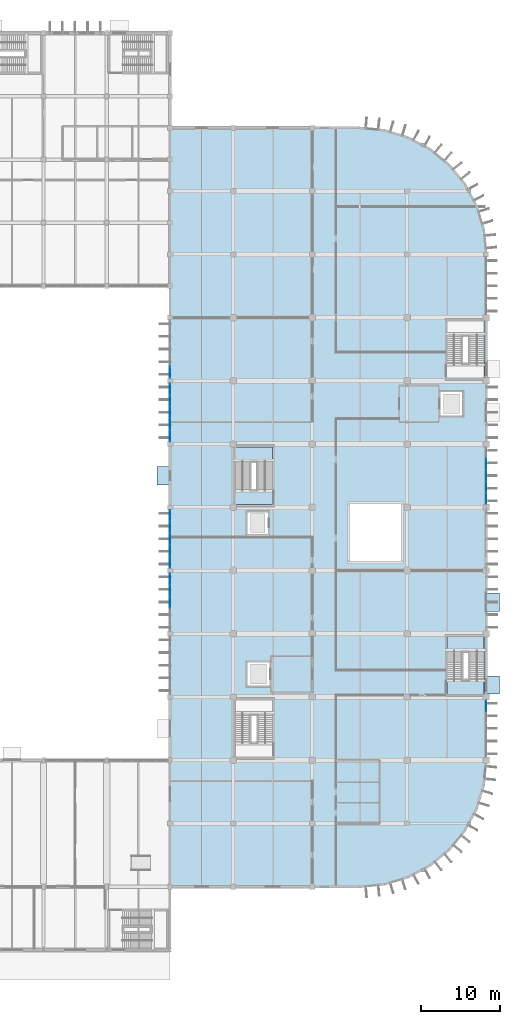
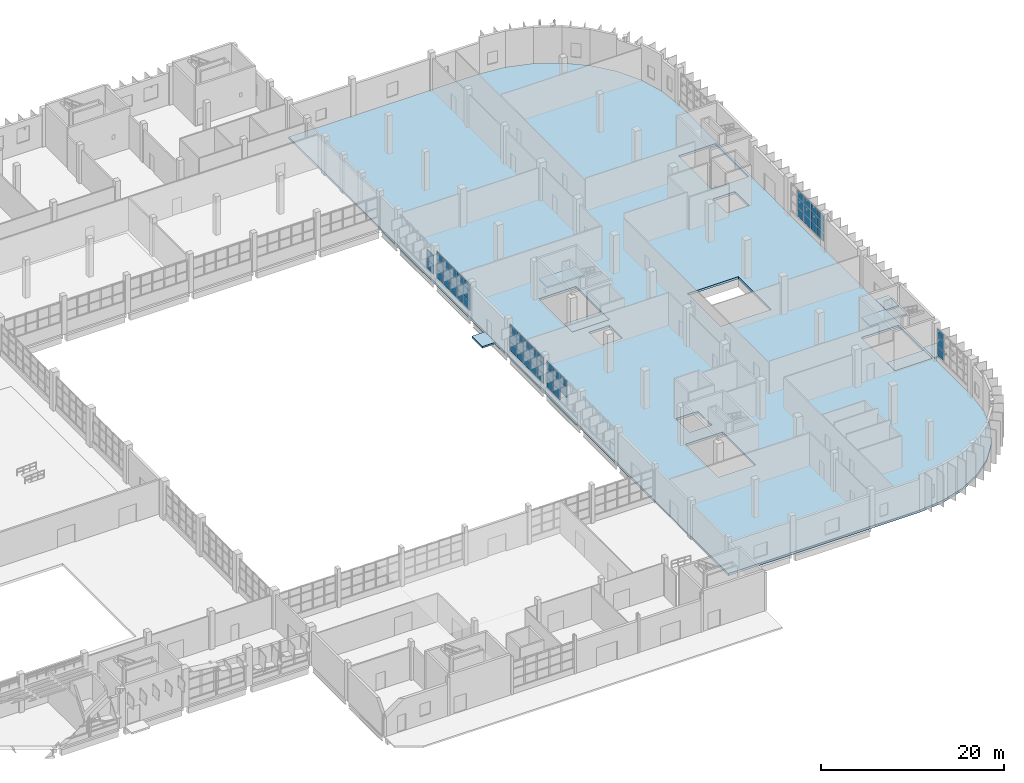
# One storey, part 63 of 103: 55 plates, 8 slabs, 8 elements without a shape of their own.
"""IFC4 building model written with IfcOpenShell, lengths in metres."""

from ifc_helpers import new_model, si_unit, direction, frame, origin, origin_2d, place, context, subcontext, project, spatial, polyline, rectangle, outline, extrude, material, layer, layer_set, type_object, element, aggregate, save


model = new_model("IFC4")

# Units and contexts
model_context = context("Model", 3, precision=1e-05, world=origin(), true_north=direction((0.0, 1.0)))
body_context = subcontext(model_context, "Body", "Model", "MODEL_VIEW")
ifc_project = project(units=[si_unit("LENGTHUNIT", "METRE"), si_unit("AREAUNIT", "SQUARE_METRE"), si_unit("VOLUMEUNIT", "CUBIC_METRE"), si_unit("PLANEANGLEUNIT", "RADIAN"), si_unit("MASSUNIT", "GRAM", prefix="KILO")], contexts=[model_context])

# Site, building, storey
site_placement = place(None, origin())
site = spatial("IfcSite", under=ifc_project, at=site_placement, CompositionType="ELEMENT")
building_placement = place(site_placement, origin())
building = spatial("IfcBuilding", under=site, at=building_placement, Name="Drelvana Railside Aquatics Centre", CompositionType="ELEMENT")
storey_placement = place(building_placement, origin())
storey = spatial("IfcBuildingStorey", under=building, at=storey_placement, Name="L00", CompositionType="ELEMENT", Elevation=0.0)

# Curtain wall, plates
ifc_material_1 = material(Name="Bronze-anodised aluminium curtain wall", Category="aluminium")
ifc_layer_1 = layer(ifc_material_1, 0.175048828125, Name="Bronze-anodised aluminium curtain wall")
ifc_layer_set_1 = layer_set([ifc_layer_1], Name="Bronze-anodised aluminium curtain wall")
curtain_wall_type = type_object("IfcCurtainWallType", Name="CW-Z6-WING", PredefinedType="NOTDEFINED", material=ifc_layer_set_1)
curtain_wall_1_placement = place(storey_placement, origin())
curtain_wall_1 = element("IfcCurtainWall", 1, at=curtain_wall_1_placement, inside=storey, type_object=curtain_wall_type, Name="Curtain wall CW-06-144", PredefinedType="NOTDEFINED")
ifc_material_2 = material(Name="Double-glazed low-e solar-control glass", Category="glass")
ifc_layer_2 = layer(ifc_material_2, 0.02392578125, Name="Double-glazed low-e solar-control glass")
ifc_layer_set_2 = layer_set([ifc_layer_2], Name="Double-glazed low-e solar-control glass")
plate_type = type_object("IfcPlateType", Name="CW-Z6-WING-PAN", PredefinedType="CURTAIN_PANEL", material=ifc_layer_set_2)
plate_1_placement = place(storey_placement, frame((144.0, 44.0, 2.0810546875), z_axis=(0.0, 0.0, 1.0), x_axis=(0.0, 1.0, 0.0)))
plate_1 = element("IfcPlate", 2, at=plate_1_placement, type_object=plate_type, Name="CW-06 panel 3.2", PredefinedType="CURTAIN_PANEL", context=body_context, shape_type="SweptSolid", body=[
    extrude(rectangle(XDim=1.41748046875, YDim=0.02392578125, at=origin_2d()), origin(), (0.0, 0.0, 1.0), 1.283935546875),
])
plate_2_placement = place(storey_placement, frame((144.0, 44.0, 3.4150390625), z_axis=(0.0, 0.0, 1.0), x_axis=(0.0, 1.0, 0.0)))
plate_2 = element("IfcPlate", 3, at=plate_2_placement, type_object=plate_type, Name="CW-06 panel 3.3", PredefinedType="CURTAIN_PANEL", context=body_context, shape_type="SweptSolid", body=[
    extrude(rectangle(XDim=1.41748046875, YDim=0.02392578125, at=origin_2d()), origin(), (0.0, 0.0, 1.0), 0.929931640625),
])
plate_3_placement = place(storey_placement, frame((144.0, 45.472412109375, 0.84912109375), z_axis=(0.0, 0.0, 1.0), x_axis=(0.0, 1.0, 0.0)))
plate_3 = element("IfcPlate", 4, at=plate_3_placement, type_object=plate_type, Name="CW-06 panel 4.1", PredefinedType="CURTAIN_PANEL", context=body_context, shape_type="SweptSolid", body=[
    extrude(rectangle(XDim=1.41748046875, YDim=0.02392578125, at=origin_2d()), origin(), (0.0, 0.0, 1.0), 1.181884765625),
])
plate_4_placement = place(storey_placement, frame((144.0, 45.472412109375, 2.0810546875), z_axis=(0.0, 0.0, 1.0), x_axis=(0.0, 1.0, 0.0)))
plate_4 = element("IfcPlate", 5, at=plate_4_placement, type_object=plate_type, Name="CW-06 panel 4.2", PredefinedType="CURTAIN_PANEL", context=body_context, shape_type="SweptSolid", body=[
    extrude(rectangle(XDim=1.41748046875, YDim=0.02392578125, at=origin_2d()), origin(), (0.0, 0.0, 1.0), 1.283935546875),
])
plate_5_placement = place(storey_placement, frame((144.0, 45.472412109375, 3.4150390625), z_axis=(0.0, 0.0, 1.0), x_axis=(0.0, 1.0, 0.0)))
plate_5 = element("IfcPlate", 6, at=plate_5_placement, type_object=plate_type, Name="CW-06 panel 4.3", PredefinedType="CURTAIN_PANEL", context=body_context, shape_type="SweptSolid", body=[
    extrude(rectangle(XDim=1.41748046875, YDim=0.02392578125, at=origin_2d()), origin(), (0.0, 0.0, 1.0), 0.929931640625),
])
plate_6_placement = place(storey_placement, frame((144.0, 46.928466796875, 0.84912109375), z_axis=(0.0, 0.0, 1.0), x_axis=(0.0, 1.0, 0.0)))
plate_6 = element("IfcPlate", 7, at=plate_6_placement, type_object=plate_type, Name="CW-06 panel 5.1", PredefinedType="CURTAIN_PANEL", context=body_context, shape_type="SweptSolid", body=[
    extrude(rectangle(XDim=1.385009765625, YDim=0.02392578125, at=origin_2d()), origin(), (0.0, 0.0, 1.0), 1.181884765625),
])
plate_7_placement = place(storey_placement, frame((144.0, 46.928466796875, 2.0810546875), z_axis=(0.0, 0.0, 1.0), x_axis=(0.0, 1.0, 0.0)))
plate_7 = element("IfcPlate", 8, at=plate_7_placement, type_object=plate_type, Name="CW-06 panel 5.2", PredefinedType="CURTAIN_PANEL", context=body_context, shape_type="SweptSolid", body=[
    extrude(rectangle(XDim=1.385009765625, YDim=0.02392578125, at=origin_2d()), origin(), (0.0, 0.0, 1.0), 1.283935546875),
])
plate_8_placement = place(storey_placement, frame((144.0, 46.928466796875, 3.4150390625), z_axis=(0.0, 0.0, 1.0), x_axis=(0.0, 1.0, 0.0)))
plate_8 = element("IfcPlate", 9, at=plate_8_placement, type_object=plate_type, Name="CW-06 panel 5.3", PredefinedType="CURTAIN_PANEL", context=body_context, shape_type="SweptSolid", body=[
    extrude(rectangle(XDim=1.385009765625, YDim=0.02392578125, at=origin_2d()), origin(), (0.0, 0.0, 1.0), 0.929931640625),
])
aggregate(curtain_wall_1, [plate_1, plate_2, plate_3, plate_4, plate_5, plate_6, plate_7, plate_8])

curtain_wall_2_placement = place(storey_placement, origin())
curtain_wall_2 = element("IfcCurtainWall", 10, at=curtain_wall_2_placement, inside=storey, type_object=curtain_wall_type, Name="Curtain wall CW-06-148", PredefinedType="NOTDEFINED")
plate_9_placement = place(storey_placement, frame((144.0, 49.071533203125, 0.84912109375), z_axis=(0.0, 0.0, 1.0), x_axis=(0.0, 1.0, 0.0)))
plate_9 = element("IfcPlate", 11, at=plate_9_placement, type_object=plate_type, Name="CW-06 panel 1.1", PredefinedType="CURTAIN_PANEL", context=body_context, shape_type="SweptSolid", body=[
    extrude(rectangle(XDim=1.385009765625, YDim=0.02392578125, at=origin_2d()), origin(), (0.0, 0.0, 1.0), 1.181884765625),
])
plate_10_placement = place(storey_placement, frame((144.0, 49.071533203125, 2.0810546875), z_axis=(0.0, 0.0, 1.0), x_axis=(0.0, 1.0, 0.0)))
plate_10 = element("IfcPlate", 12, at=plate_10_placement, type_object=plate_type, Name="CW-06 panel 1.2", PredefinedType="CURTAIN_PANEL", context=body_context, shape_type="SweptSolid", body=[
    extrude(rectangle(XDim=1.385009765625, YDim=0.02392578125, at=origin_2d()), origin(), (0.0, 0.0, 1.0), 1.283935546875),
])
plate_11_placement = place(storey_placement, frame((144.0, 49.071533203125, 3.4150390625), z_axis=(0.0, 0.0, 1.0), x_axis=(0.0, 1.0, 0.0)))
plate_11 = element("IfcPlate", 13, at=plate_11_placement, type_object=plate_type, Name="CW-06 panel 1.3", PredefinedType="CURTAIN_PANEL", context=body_context, shape_type="SweptSolid", body=[
    extrude(rectangle(XDim=1.385009765625, YDim=0.02392578125, at=origin_2d()), origin(), (0.0, 0.0, 1.0), 0.929931640625),
])
plate_12_placement = place(storey_placement, frame((144.0, 50.527587890625, 0.84912109375), z_axis=(0.0, 0.0, 1.0), x_axis=(0.0, 1.0, 0.0)))
plate_12 = element("IfcPlate", 14, at=plate_12_placement, type_object=plate_type, Name="CW-06 panel 2.1", PredefinedType="CURTAIN_PANEL", context=body_context, shape_type="SweptSolid", body=[
    extrude(rectangle(XDim=1.41748046875, YDim=0.02392578125, at=origin_2d()), origin(), (0.0, 0.0, 1.0), 1.181884765625),
])
plate_13_placement = place(storey_placement, frame((144.0, 50.527587890625, 2.0810546875), z_axis=(0.0, 0.0, 1.0), x_axis=(0.0, 1.0, 0.0)))
plate_13 = element("IfcPlate", 15, at=plate_13_placement, type_object=plate_type, Name="CW-06 panel 2.2", PredefinedType="CURTAIN_PANEL", context=body_context, shape_type="SweptSolid", body=[
    extrude(rectangle(XDim=1.41748046875, YDim=0.02392578125, at=origin_2d()), origin(), (0.0, 0.0, 1.0), 1.283935546875),
])
plate_14_placement = place(storey_placement, frame((144.0, 50.527587890625, 3.4150390625), z_axis=(0.0, 0.0, 1.0), x_axis=(0.0, 1.0, 0.0)))
plate_14 = element("IfcPlate", 16, at=plate_14_placement, type_object=plate_type, Name="CW-06 panel 2.3", PredefinedType="CURTAIN_PANEL", context=body_context, shape_type="SweptSolid", body=[
    extrude(rectangle(XDim=1.41748046875, YDim=0.02392578125, at=origin_2d()), origin(), (0.0, 0.0, 1.0), 0.929931640625),
])
plate_15_placement = place(storey_placement, frame((144.0, 52.0, 0.84912109375), z_axis=(0.0, 0.0, 1.0), x_axis=(0.0, 1.0, 0.0)))
plate_15 = element("IfcPlate", 17, at=plate_15_placement, type_object=plate_type, Name="CW-06 panel 3.1", PredefinedType="CURTAIN_PANEL", context=body_context, shape_type="SweptSolid", body=[
    extrude(rectangle(XDim=1.41748046875, YDim=0.02392578125, at=origin_2d()), origin(), (0.0, 0.0, 1.0), 1.181884765625),
])
plate_16_placement = place(storey_placement, frame((144.0, 52.0, 2.0810546875), z_axis=(0.0, 0.0, 1.0), x_axis=(0.0, 1.0, 0.0)))
plate_16 = element("IfcPlate", 18, at=plate_16_placement, type_object=plate_type, Name="CW-06 panel 3.2", PredefinedType="CURTAIN_PANEL", context=body_context, shape_type="SweptSolid", body=[
    extrude(rectangle(XDim=1.41748046875, YDim=0.02392578125, at=origin_2d()), origin(), (0.0, 0.0, 1.0), 1.283935546875),
])
plate_17_placement = place(storey_placement, frame((144.0, 52.0, 3.4150390625), z_axis=(0.0, 0.0, 1.0), x_axis=(0.0, 1.0, 0.0)))
plate_17 = element("IfcPlate", 19, at=plate_17_placement, type_object=plate_type, Name="CW-06 panel 3.3", PredefinedType="CURTAIN_PANEL", context=body_context, shape_type="SweptSolid", body=[
    extrude(rectangle(XDim=1.41748046875, YDim=0.02392578125, at=origin_2d()), origin(), (0.0, 0.0, 1.0), 0.929931640625),
])
plate_18_placement = place(storey_placement, frame((144.0, 53.472412109375, 0.84912109375), z_axis=(0.0, 0.0, 1.0), x_axis=(0.0, 1.0, 0.0)))
plate_18 = element("IfcPlate", 20, at=plate_18_placement, type_object=plate_type, Name="CW-06 panel 4.1", PredefinedType="CURTAIN_PANEL", context=body_context, shape_type="SweptSolid", body=[
    extrude(rectangle(XDim=1.41748046875, YDim=0.02392578125, at=origin_2d()), origin(), (0.0, 0.0, 1.0), 1.181884765625),
])
plate_19_placement = place(storey_placement, frame((144.0, 53.472412109375, 2.0810546875), z_axis=(0.0, 0.0, 1.0), x_axis=(0.0, 1.0, 0.0)))
plate_19 = element("IfcPlate", 21, at=plate_19_placement, type_object=plate_type, Name="CW-06 panel 4.2", PredefinedType="CURTAIN_PANEL", context=body_context, shape_type="SweptSolid", body=[
    extrude(rectangle(XDim=1.41748046875, YDim=0.02392578125, at=origin_2d()), origin(), (0.0, 0.0, 1.0), 1.283935546875),
])
plate_20_placement = place(storey_placement, frame((144.0, 53.472412109375, 3.4150390625), z_axis=(0.0, 0.0, 1.0), x_axis=(0.0, 1.0, 0.0)))
plate_20 = element("IfcPlate", 22, at=plate_20_placement, type_object=plate_type, Name="CW-06 panel 4.3", PredefinedType="CURTAIN_PANEL", context=body_context, shape_type="SweptSolid", body=[
    extrude(rectangle(XDim=1.41748046875, YDim=0.02392578125, at=origin_2d()), origin(), (0.0, 0.0, 1.0), 0.929931640625),
])
plate_21_placement = place(storey_placement, frame((144.0, 54.928466796875, 0.84912109375), z_axis=(0.0, 0.0, 1.0), x_axis=(0.0, 1.0, 0.0)))
plate_21 = element("IfcPlate", 23, at=plate_21_placement, type_object=plate_type, Name="CW-06 panel 5.1", PredefinedType="CURTAIN_PANEL", context=body_context, shape_type="SweptSolid", body=[
    extrude(rectangle(XDim=1.385009765625, YDim=0.02392578125, at=origin_2d()), origin(), (0.0, 0.0, 1.0), 1.181884765625),
])
plate_22_placement = place(storey_placement, frame((144.0, 54.928466796875, 2.0810546875), z_axis=(0.0, 0.0, 1.0), x_axis=(0.0, 1.0, 0.0)))
plate_22 = element("IfcPlate", 24, at=plate_22_placement, type_object=plate_type, Name="CW-06 panel 5.2", PredefinedType="CURTAIN_PANEL", context=body_context, shape_type="SweptSolid", body=[
    extrude(rectangle(XDim=1.385009765625, YDim=0.02392578125, at=origin_2d()), origin(), (0.0, 0.0, 1.0), 1.283935546875),
])
plate_23_placement = place(storey_placement, frame((144.0, 54.928466796875, 3.4150390625), z_axis=(0.0, 0.0, 1.0), x_axis=(0.0, 1.0, 0.0)))
plate_23 = element("IfcPlate", 25, at=plate_23_placement, type_object=plate_type, Name="CW-06 panel 5.3", PredefinedType="CURTAIN_PANEL", context=body_context, shape_type="SweptSolid", body=[
    extrude(rectangle(XDim=1.385009765625, YDim=0.02392578125, at=origin_2d()), origin(), (0.0, 0.0, 1.0), 0.929931640625),
])
aggregate(curtain_wall_2, [plate_9, plate_10, plate_11, plate_12, plate_13, plate_14, plate_15, plate_16, plate_17, plate_18, plate_19, plate_20, plate_21, plate_22, plate_23])

curtain_wall_3_placement = place(storey_placement, origin())
curtain_wall_3 = element("IfcCurtainWall", 26, at=curtain_wall_3_placement, inside=storey, type_object=curtain_wall_type, Name="Curtain wall CW-06-155", PredefinedType="NOTDEFINED")
plate_24_placement = place(storey_placement, frame((144.0, 65.071533203125, 0.84912109375), z_axis=(0.0, 0.0, 1.0), x_axis=(0.0, 1.0, 0.0)))
plate_24 = element("IfcPlate", 27, at=plate_24_placement, type_object=plate_type, Name="CW-06 panel 1.1", PredefinedType="CURTAIN_PANEL", context=body_context, shape_type="SweptSolid", body=[
    extrude(rectangle(XDim=1.385009765625, YDim=0.02392578125, at=origin_2d()), origin(), (0.0, 0.0, 1.0), 1.181884765625),
])
plate_25_placement = place(storey_placement, frame((144.0, 65.071533203125, 2.0810546875), z_axis=(0.0, 0.0, 1.0), x_axis=(0.0, 1.0, 0.0)))
plate_25 = element("IfcPlate", 28, at=plate_25_placement, type_object=plate_type, Name="CW-06 panel 1.2", PredefinedType="CURTAIN_PANEL", context=body_context, shape_type="SweptSolid", body=[
    extrude(rectangle(XDim=1.385009765625, YDim=0.02392578125, at=origin_2d()), origin(), (0.0, 0.0, 1.0), 1.283935546875),
])
plate_26_placement = place(storey_placement, frame((144.0, 65.071533203125, 3.4150390625), z_axis=(0.0, 0.0, 1.0), x_axis=(0.0, 1.0, 0.0)))
plate_26 = element("IfcPlate", 29, at=plate_26_placement, type_object=plate_type, Name="CW-06 panel 1.3", PredefinedType="CURTAIN_PANEL", context=body_context, shape_type="SweptSolid", body=[
    extrude(rectangle(XDim=1.385009765625, YDim=0.02392578125, at=origin_2d()), origin(), (0.0, 0.0, 1.0), 0.929931640625),
])
plate_27_placement = place(storey_placement, frame((144.0, 66.527587890625, 0.84912109375), z_axis=(0.0, 0.0, 1.0), x_axis=(0.0, 1.0, 0.0)))
plate_27 = element("IfcPlate", 30, at=plate_27_placement, type_object=plate_type, Name="CW-06 panel 2.1", PredefinedType="CURTAIN_PANEL", context=body_context, shape_type="SweptSolid", body=[
    extrude(rectangle(XDim=1.41748046875, YDim=0.02392578125, at=origin_2d()), origin(), (0.0, 0.0, 1.0), 1.181884765625),
])
plate_28_placement = place(storey_placement, frame((144.0, 66.527587890625, 2.0810546875), z_axis=(0.0, 0.0, 1.0), x_axis=(0.0, 1.0, 0.0)))
plate_28 = element("IfcPlate", 31, at=plate_28_placement, type_object=plate_type, Name="CW-06 panel 2.2", PredefinedType="CURTAIN_PANEL", context=body_context, shape_type="SweptSolid", body=[
    extrude(rectangle(XDim=1.41748046875, YDim=0.02392578125, at=origin_2d()), origin(), (0.0, 0.0, 1.0), 1.283935546875),
])
plate_29_placement = place(storey_placement, frame((144.0, 66.527587890625, 3.4150390625), z_axis=(0.0, 0.0, 1.0), x_axis=(0.0, 1.0, 0.0)))
plate_29 = element("IfcPlate", 32, at=plate_29_placement, type_object=plate_type, Name="CW-06 panel 2.3", PredefinedType="CURTAIN_PANEL", context=body_context, shape_type="SweptSolid", body=[
    extrude(rectangle(XDim=1.41748046875, YDim=0.02392578125, at=origin_2d()), origin(), (0.0, 0.0, 1.0), 0.929931640625),
])
plate_30_placement = place(storey_placement, frame((144.0, 68.0, 0.84912109375), z_axis=(0.0, 0.0, 1.0), x_axis=(0.0, 1.0, 0.0)))
plate_30 = element("IfcPlate", 33, at=plate_30_placement, type_object=plate_type, Name="CW-06 panel 3.1", PredefinedType="CURTAIN_PANEL", context=body_context, shape_type="SweptSolid", body=[
    extrude(rectangle(XDim=1.41748046875, YDim=0.02392578125, at=origin_2d()), origin(), (0.0, 0.0, 1.0), 1.181884765625),
])
plate_31_placement = place(storey_placement, frame((144.0, 68.0, 2.0810546875), z_axis=(0.0, 0.0, 1.0), x_axis=(0.0, 1.0, 0.0)))
plate_31 = element("IfcPlate", 34, at=plate_31_placement, type_object=plate_type, Name="CW-06 panel 3.2", PredefinedType="CURTAIN_PANEL", context=body_context, shape_type="SweptSolid", body=[
    extrude(rectangle(XDim=1.41748046875, YDim=0.02392578125, at=origin_2d()), origin(), (0.0, 0.0, 1.0), 1.283935546875),
])
plate_32_placement = place(storey_placement, frame((144.0, 68.0, 3.4150390625), z_axis=(0.0, 0.0, 1.0), x_axis=(0.0, 1.0, 0.0)))
plate_32 = element("IfcPlate", 35, at=plate_32_placement, type_object=plate_type, Name="CW-06 panel 3.3", PredefinedType="CURTAIN_PANEL", context=body_context, shape_type="SweptSolid", body=[
    extrude(rectangle(XDim=1.41748046875, YDim=0.02392578125, at=origin_2d()), origin(), (0.0, 0.0, 1.0), 0.929931640625),
])
plate_33_placement = place(storey_placement, frame((144.0, 69.472412109375, 0.84912109375), z_axis=(0.0, 0.0, 1.0), x_axis=(0.0, 1.0, 0.0)))
plate_33 = element("IfcPlate", 36, at=plate_33_placement, type_object=plate_type, Name="CW-06 panel 4.1", PredefinedType="CURTAIN_PANEL", context=body_context, shape_type="SweptSolid", body=[
    extrude(rectangle(XDim=1.41748046875, YDim=0.02392578125, at=origin_2d()), origin(), (0.0, 0.0, 1.0), 1.181884765625),
])
plate_34_placement = place(storey_placement, frame((144.0, 69.472412109375, 2.0810546875), z_axis=(0.0, 0.0, 1.0), x_axis=(0.0, 1.0, 0.0)))
plate_34 = element("IfcPlate", 37, at=plate_34_placement, type_object=plate_type, Name="CW-06 panel 4.2", PredefinedType="CURTAIN_PANEL", context=body_context, shape_type="SweptSolid", body=[
    extrude(rectangle(XDim=1.41748046875, YDim=0.02392578125, at=origin_2d()), origin(), (0.0, 0.0, 1.0), 1.283935546875),
])
plate_35_placement = place(storey_placement, frame((144.0, 69.472412109375, 3.4150390625), z_axis=(0.0, 0.0, 1.0), x_axis=(0.0, 1.0, 0.0)))
plate_35 = element("IfcPlate", 38, at=plate_35_placement, type_object=plate_type, Name="CW-06 panel 4.3", PredefinedType="CURTAIN_PANEL", context=body_context, shape_type="SweptSolid", body=[
    extrude(rectangle(XDim=1.41748046875, YDim=0.02392578125, at=origin_2d()), origin(), (0.0, 0.0, 1.0), 0.929931640625),
])
plate_36_placement = place(storey_placement, frame((144.0, 70.928466796875, 0.84912109375), z_axis=(0.0, 0.0, 1.0), x_axis=(0.0, 1.0, 0.0)))
plate_36 = element("IfcPlate", 39, at=plate_36_placement, type_object=plate_type, Name="CW-06 panel 5.1", PredefinedType="CURTAIN_PANEL", context=body_context, shape_type="SweptSolid", body=[
    extrude(rectangle(XDim=1.385009765625, YDim=0.02392578125, at=origin_2d()), origin(), (0.0, 0.0, 1.0), 1.181884765625),
])
plate_37_placement = place(storey_placement, frame((144.0, 70.928466796875, 2.0810546875), z_axis=(0.0, 0.0, 1.0), x_axis=(0.0, 1.0, 0.0)))
plate_37 = element("IfcPlate", 40, at=plate_37_placement, type_object=plate_type, Name="CW-06 panel 5.2", PredefinedType="CURTAIN_PANEL", context=body_context, shape_type="SweptSolid", body=[
    extrude(rectangle(XDim=1.385009765625, YDim=0.02392578125, at=origin_2d()), origin(), (0.0, 0.0, 1.0), 1.283935546875),
])
plate_38_placement = place(storey_placement, frame((144.0, 70.928466796875, 3.4150390625), z_axis=(0.0, 0.0, 1.0), x_axis=(0.0, 1.0, 0.0)))
plate_38 = element("IfcPlate", 41, at=plate_38_placement, type_object=plate_type, Name="CW-06 panel 5.3", PredefinedType="CURTAIN_PANEL", context=body_context, shape_type="SweptSolid", body=[
    extrude(rectangle(XDim=1.385009765625, YDim=0.02392578125, at=origin_2d()), origin(), (0.0, 0.0, 1.0), 0.929931640625),
])
aggregate(curtain_wall_3, [plate_24, plate_25, plate_26, plate_27, plate_28, plate_29, plate_30, plate_31, plate_32, plate_33, plate_34, plate_35, plate_36, plate_37, plate_38])

curtain_wall_4_placement = place(storey_placement, origin())
curtain_wall_4 = element("IfcCurtainWall", 42, at=curtain_wall_4_placement, inside=storey, type_object=curtain_wall_type, Name="Curtain wall CW-06-159", PredefinedType="NOTDEFINED")
plate_39_placement = place(storey_placement, frame((144.0, 73.071533203125, 0.84912109375), z_axis=(0.0, 0.0, 1.0), x_axis=(0.0, 1.0, 0.0)))
plate_39 = element("IfcPlate", 43, at=plate_39_placement, type_object=plate_type, Name="CW-06 panel 1.1", PredefinedType="CURTAIN_PANEL", context=body_context, shape_type="SweptSolid", body=[
    extrude(rectangle(XDim=1.385009765625, YDim=0.02392578125, at=origin_2d()), origin(), (0.0, 0.0, 1.0), 1.181884765625),
])
plate_40_placement = place(storey_placement, frame((144.0, 73.071533203125, 2.0810546875), z_axis=(0.0, 0.0, 1.0), x_axis=(0.0, 1.0, 0.0)))
plate_40 = element("IfcPlate", 44, at=plate_40_placement, type_object=plate_type, Name="CW-06 panel 1.2", PredefinedType="CURTAIN_PANEL", context=body_context, shape_type="SweptSolid", body=[
    extrude(rectangle(XDim=1.385009765625, YDim=0.02392578125, at=origin_2d()), origin(), (0.0, 0.0, 1.0), 1.283935546875),
])
aggregate(curtain_wall_4, [plate_39, plate_40])

curtain_wall_5_placement = place(storey_placement, origin())
curtain_wall_5 = element("IfcCurtainWall", 45, at=curtain_wall_5_placement, inside=storey, type_object=curtain_wall_type, Name="Curtain wall CW-06-166", PredefinedType="NOTDEFINED")
plate_41_placement = place(storey_placement, frame((184.0, 30.86865234375, 0.84912109375), z_axis=(0.0, 0.0, 1.0), x_axis=(0.0, 1.0, 0.0)))
plate_41 = element("IfcPlate", 46, at=plate_41_placement, type_object=plate_type, Name="CW-06 panel 5.1", PredefinedType="CURTAIN_PANEL", context=body_context, shape_type="SweptSolid", body=[
    extrude(rectangle(XDim=1.35498046875, YDim=0.02392578125, at=origin_2d()), origin(), (0.0, 0.0, 1.0), 1.181884765625),
])
plate_42_placement = place(storey_placement, frame((184.0, 30.86865234375, 2.0810546875), z_axis=(0.0, 0.0, 1.0), x_axis=(0.0, 1.0, 0.0)))
plate_42 = element("IfcPlate", 47, at=plate_42_placement, type_object=plate_type, Name="CW-06 panel 5.2", PredefinedType="CURTAIN_PANEL", context=body_context, shape_type="SweptSolid", body=[
    extrude(rectangle(XDim=1.35498046875, YDim=0.02392578125, at=origin_2d()), origin(), (0.0, 0.0, 1.0), 1.283935546875),
])
plate_43_placement = place(storey_placement, frame((184.0, 30.86865234375, 3.4150390625), z_axis=(0.0, 0.0, 1.0), x_axis=(0.0, 1.0, 0.0)))
plate_43 = element("IfcPlate", 48, at=plate_43_placement, type_object=plate_type, Name="CW-06 panel 5.3", PredefinedType="CURTAIN_PANEL", context=body_context, shape_type="SweptSolid", body=[
    extrude(rectangle(XDim=1.35498046875, YDim=0.02392578125, at=origin_2d()), origin(), (0.0, 0.0, 1.0), 0.929931640625),
])
aggregate(curtain_wall_5, [plate_41, plate_42, plate_43])

curtain_wall_6_placement = place(storey_placement, origin())
curtain_wall_6 = element("IfcCurtainWall", 49, at=curtain_wall_6_placement, inside=storey, type_object=curtain_wall_type, Name="Curtain wall CW-06-175", PredefinedType="NOTDEFINED")
plate_44_placement = place(storey_placement, frame((184.0, 57.13134765625, 0.84912109375), z_axis=(0.0, 0.0, 1.0), x_axis=(0.0, 1.0, 0.0)))
plate_44 = element("IfcPlate", 50, at=plate_44_placement, type_object=plate_type, Name="CW-06 panel 1.1", PredefinedType="CURTAIN_PANEL", context=body_context, shape_type="SweptSolid", body=[
    extrude(rectangle(XDim=1.35498046875, YDim=0.02392578125, at=origin_2d()), origin(), (0.0, 0.0, 1.0), 1.181884765625),
])
plate_45_placement = place(storey_placement, frame((184.0, 57.13134765625, 2.0810546875), z_axis=(0.0, 0.0, 1.0), x_axis=(0.0, 1.0, 0.0)))
plate_45 = element("IfcPlate", 51, at=plate_45_placement, type_object=plate_type, Name="CW-06 panel 1.2", PredefinedType="CURTAIN_PANEL", context=body_context, shape_type="SweptSolid", body=[
    extrude(rectangle(XDim=1.35498046875, YDim=0.02392578125, at=origin_2d()), origin(), (0.0, 0.0, 1.0), 1.283935546875),
])
plate_46_placement = place(storey_placement, frame((184.0, 57.13134765625, 3.4150390625), z_axis=(0.0, 0.0, 1.0), x_axis=(0.0, 1.0, 0.0)))
plate_46 = element("IfcPlate", 52, at=plate_46_placement, type_object=plate_type, Name="CW-06 panel 1.3", PredefinedType="CURTAIN_PANEL", context=body_context, shape_type="SweptSolid", body=[
    extrude(rectangle(XDim=1.35498046875, YDim=0.02392578125, at=origin_2d()), origin(), (0.0, 0.0, 1.0), 0.929931640625),
])
plate_47_placement = place(storey_placement, frame((184.0, 58.5576171875, 0.84912109375), z_axis=(0.0, 0.0, 1.0), x_axis=(0.0, 1.0, 0.0)))
plate_47 = element("IfcPlate", 53, at=plate_47_placement, type_object=plate_type, Name="CW-06 panel 2.1", PredefinedType="CURTAIN_PANEL", context=body_context, shape_type="SweptSolid", body=[
    extrude(rectangle(XDim=1.387451171875, YDim=0.02392578125, at=origin_2d()), origin(), (0.0, 0.0, 1.0), 1.181884765625),
])
plate_48_placement = place(storey_placement, frame((184.0, 58.5576171875, 2.0810546875), z_axis=(0.0, 0.0, 1.0), x_axis=(0.0, 1.0, 0.0)))
plate_48 = element("IfcPlate", 54, at=plate_48_placement, type_object=plate_type, Name="CW-06 panel 2.2", PredefinedType="CURTAIN_PANEL", context=body_context, shape_type="SweptSolid", body=[
    extrude(rectangle(XDim=1.387451171875, YDim=0.02392578125, at=origin_2d()), origin(), (0.0, 0.0, 1.0), 1.283935546875),
])
plate_49_placement = place(storey_placement, frame((184.0, 58.5576171875, 3.4150390625), z_axis=(0.0, 0.0, 1.0), x_axis=(0.0, 1.0, 0.0)))
plate_49 = element("IfcPlate", 55, at=plate_49_placement, type_object=plate_type, Name="CW-06 panel 2.3", PredefinedType="CURTAIN_PANEL", context=body_context, shape_type="SweptSolid", body=[
    extrude(rectangle(XDim=1.387451171875, YDim=0.02392578125, at=origin_2d()), origin(), (0.0, 0.0, 1.0), 0.929931640625),
])
plate_50_placement = place(storey_placement, frame((184.0, 60.0, 0.84912109375), z_axis=(0.0, 0.0, 1.0), x_axis=(0.0, 1.0, 0.0)))
plate_50 = element("IfcPlate", 56, at=plate_50_placement, type_object=plate_type, Name="CW-06 panel 3.1", PredefinedType="CURTAIN_PANEL", context=body_context, shape_type="SweptSolid", body=[
    extrude(rectangle(XDim=1.387451171875, YDim=0.02392578125, at=origin_2d()), origin(), (0.0, 0.0, 1.0), 1.181884765625),
])
plate_51_placement = place(storey_placement, frame((184.0, 60.0, 2.0810546875), z_axis=(0.0, 0.0, 1.0), x_axis=(0.0, 1.0, 0.0)))
plate_51 = element("IfcPlate", 57, at=plate_51_placement, type_object=plate_type, Name="CW-06 panel 3.2", PredefinedType="CURTAIN_PANEL", context=body_context, shape_type="SweptSolid", body=[
    extrude(rectangle(XDim=1.387451171875, YDim=0.02392578125, at=origin_2d()), origin(), (0.0, 0.0, 1.0), 1.283935546875),
])
plate_52_placement = place(storey_placement, frame((184.0, 60.0, 3.4150390625), z_axis=(0.0, 0.0, 1.0), x_axis=(0.0, 1.0, 0.0)))
plate_52 = element("IfcPlate", 58, at=plate_52_placement, type_object=plate_type, Name="CW-06 panel 3.3", PredefinedType="CURTAIN_PANEL", context=body_context, shape_type="SweptSolid", body=[
    extrude(rectangle(XDim=1.387451171875, YDim=0.02392578125, at=origin_2d()), origin(), (0.0, 0.0, 1.0), 0.929931640625),
])
plate_53_placement = place(storey_placement, frame((184.0, 61.4423828125, 0.84912109375), z_axis=(0.0, 0.0, 1.0), x_axis=(0.0, 1.0, 0.0)))
plate_53 = element("IfcPlate", 59, at=plate_53_placement, type_object=plate_type, Name="CW-06 panel 4.1", PredefinedType="CURTAIN_PANEL", context=body_context, shape_type="SweptSolid", body=[
    extrude(rectangle(XDim=1.387451171875, YDim=0.02392578125, at=origin_2d()), origin(), (0.0, 0.0, 1.0), 1.181884765625),
])
plate_54_placement = place(storey_placement, frame((184.0, 61.4423828125, 2.0810546875), z_axis=(0.0, 0.0, 1.0), x_axis=(0.0, 1.0, 0.0)))
plate_54 = element("IfcPlate", 60, at=plate_54_placement, type_object=plate_type, Name="CW-06 panel 4.2", PredefinedType="CURTAIN_PANEL", context=body_context, shape_type="SweptSolid", body=[
    extrude(rectangle(XDim=1.387451171875, YDim=0.02392578125, at=origin_2d()), origin(), (0.0, 0.0, 1.0), 1.283935546875),
])
plate_55_placement = place(storey_placement, frame((184.0, 61.4423828125, 3.4150390625), z_axis=(0.0, 0.0, 1.0), x_axis=(0.0, 1.0, 0.0)))
plate_55 = element("IfcPlate", 61, at=plate_55_placement, type_object=plate_type, Name="CW-06 panel 4.3", PredefinedType="CURTAIN_PANEL", context=body_context, shape_type="SweptSolid", body=[
    extrude(rectangle(XDim=1.387451171875, YDim=0.02392578125, at=origin_2d()), origin(), (0.0, 0.0, 1.0), 0.929931640625),
])
aggregate(curtain_wall_6, [plate_44, plate_45, plate_46, plate_47, plate_48, plate_49, plate_50, plate_51, plate_52, plate_53, plate_54, plate_55])

# Slabs
ifc_material_3 = material(Name="Concrete C40/50", Category="concrete")
ifc_layer_3 = layer(ifc_material_3, 0.300048828125, Name="Concrete C40/50")
ifc_layer_set_3 = layer_set([ifc_layer_3], Name="Concrete C40/50")
slab_type_1 = type_object("IfcSlabType", Name="SL-L00-300", PredefinedType="FLOOR", material=ifc_layer_set_3)
slab_1_placement = place(storey_placement, frame((0.0, 0.0, -0.300048828125)))
element("IfcSlab", 62, at=slab_1_placement, inside=storey, type_object=slab_type_1, Name="Wellness Wing ground floor slab", PredefinedType="FLOOR", context=body_context, shape_type="SweptSolid", body=[
    extrude(outline(polyline([(144.0, 8.0), (168.0, 8.0), (171.121337890625, 8.307373046875), (174.123046875, 9.218017578125), (176.88916015625, 10.696533203125), (179.313720703125, 12.686279296875), (181.303466796875, 15.11083984375), (182.781982421875, 17.876953125), (183.692626953125, 20.878662109375), (184.0, 24.0), (184.0, 88.0), (183.692626953125, 91.121337890625), (182.781982421875, 94.123046875), (181.303466796875, 96.88916015625), (179.313720703125, 99.313720703125), (176.88916015625, 101.303466796875), (174.123046875, 102.781982421875), (171.121337890625, 103.692626953125), (168.0, 104.0), (144.0, 104.0), (144.0, 8.0)]), holes=[polyline([(166.800048828125, 49.199951171875), (173.199951171875, 49.199951171875), (173.199951171875, 56.39990234375), (166.800048828125, 56.39990234375), (166.800048828125, 49.199951171875)]), polyline([(152.25, 24.409912109375), (156.949951171875, 24.409912109375), (156.949951171875, 31.64990234375), (152.25, 31.64990234375), (152.25, 24.409912109375)]), polyline([(153.800048828125, 33.39990234375), (156.60009765625, 33.39990234375), (156.60009765625, 36.39990234375), (153.800048828125, 36.39990234375), (153.800048828125, 33.39990234375)]), polyline([(179.050048828125, 72.35009765625), (183.75, 72.35009765625), (183.75, 79.590087890625), (179.050048828125, 79.590087890625), (179.050048828125, 72.35009765625)]), polyline([(178.199951171875, 67.60009765625), (181.0, 67.60009765625), (181.0, 70.60009765625), (178.199951171875, 70.60009765625), (178.199951171875, 67.60009765625)]), polyline([(152.25, 56.35009765625), (156.949951171875, 56.35009765625), (156.949951171875, 63.64990234375), (152.25, 63.64990234375), (152.25, 56.35009765625)]), polyline([(153.800048828125, 52.60009765625), (156.39990234375, 52.60009765625), (156.39990234375, 55.39990234375), (153.800048828125, 55.39990234375), (153.800048828125, 52.60009765625)]), polyline([(179.050048828125, 32.35009765625), (183.75, 32.35009765625), (183.75, 39.64990234375), (179.050048828125, 39.64990234375), (179.050048828125, 32.35009765625)])]), origin(), (0.0, 0.0, 1.0), 0.300048828125),
])
ifc_layer_4 = layer(ifc_material_3, 0.199951171875, Name="Concrete C40/50")
ifc_layer_set_4 = layer_set([ifc_layer_4], Name="Concrete C40/50")
slab_type_2 = type_object("IfcSlabType", Name="SL-LAND-200", PredefinedType="LANDING", material=ifc_layer_set_4)
slab_2_placement = place(storey_placement, frame((0.0, 0.0, -0.199951171875)))
element("IfcSlab", 63, at=slab_2_placement, inside=storey, type_object=slab_type_2, Name="Stair ST-08 L00 floor landing", PredefinedType="LANDING", context=body_context, shape_type="SweptSolid", body=[
    extrude(outline(polyline([(152.25, 56.35009765625), (156.949951171875, 56.35009765625), (156.949951171875, 58.14990234375), (152.25, 58.14990234375), (152.25, 56.35009765625)])), origin(), (0.0, 0.0, 1.0), 0.199951171875),
])

# Stair, slab
stair_type = type_object("IfcStairType", Name="ST-CORE-L00", PredefinedType="HALF_TURN_STAIR", material=ifc_material_3)
stair_1_placement = place(storey_placement, origin())
stair_1 = element("IfcStair", 64, at=stair_1_placement, inside=storey, type_object=stair_type, Name="Exit stair ST-08 (L00 to L01)", PredefinedType="HALF_TURN_STAIR")
slab_3_placement = place(storey_placement, frame((0.0, 0.0, 2.5)))
slab_3 = element("IfcSlab", 65, at=slab_3_placement, type_object=slab_type_2, Name="ST-L0 landing 1", PredefinedType="LANDING", context=body_context, shape_type="SweptSolid", body=[
    extrude(outline(polyline([(152.25, 61.780029296875), (156.949951171875, 61.780029296875), (156.949951171875, 63.64990234375), (152.25, 63.64990234375), (152.25, 61.780029296875)])), origin(), (0.0, 0.0, 1.0), 0.199951171875),
])
aggregate(stair_1, [slab_3])

# Slab
slab_4_placement = place(storey_placement, frame((0.0, 0.0, -0.199951171875)))
element("IfcSlab", 66, at=slab_4_placement, inside=storey, type_object=slab_type_2, Name="Stair ST-09 L00 floor landing", PredefinedType="LANDING", context=body_context, shape_type="SweptSolid", body=[
    extrude(outline(polyline([(179.050048828125, 32.35009765625), (183.75, 32.35009765625), (183.75, 34.14990234375), (179.050048828125, 34.14990234375), (179.050048828125, 32.35009765625)])), origin(), (0.0, 0.0, 1.0), 0.199951171875),
])

# Stair, slab
stair_2_placement = place(storey_placement, origin())
stair_2 = element("IfcStair", 67, at=stair_2_placement, inside=storey, type_object=stair_type, Name="Exit stair ST-09 (L00 to L01)", PredefinedType="HALF_TURN_STAIR")
slab_5_placement = place(storey_placement, frame((0.0, 0.0, 2.5)))
slab_5 = element("IfcSlab", 68, at=slab_5_placement, type_object=slab_type_2, Name="ST-L0 landing 1", PredefinedType="LANDING", context=body_context, shape_type="SweptSolid", body=[
    extrude(outline(polyline([(179.050048828125, 37.780029296875), (183.75, 37.780029296875), (183.75, 39.64990234375), (179.050048828125, 39.64990234375), (179.050048828125, 37.780029296875)])), origin(), (0.0, 0.0, 1.0), 0.199951171875),
])
aggregate(stair_2, [slab_5])

# Slabs
ifc_material_4 = material(Name="Precast concrete C40/50", Category="concrete")
ifc_layer_5 = layer(ifc_material_4, 0.2099609375, Name="Precast concrete C40/50")
ifc_layer_set_5 = layer_set([ifc_layer_5], Name="Precast concrete C40/50")
slab_type_3 = type_object("IfcSlabType", Name="SL-PAV-210", PredefinedType="BASESLAB", material=ifc_layer_set_5)
slab_6_placement = place(storey_placement, frame((0.0, 0.0, -0.2099609375)))
element("IfcSlab", 69, at=slab_6_placement, inside=storey, type_object=slab_type_3, Name="Exterior threshold landing apron 019", PredefinedType="BASESLAB", context=body_context, shape_type="SweptSolid", body=[
    extrude(outline(polyline([(142.344970703125, 58.85009765625), (143.9951171875, 58.85009765625), (143.9951171875, 61.14990234375), (142.344970703125, 61.14990234375), (142.344970703125, 58.85009765625)])), origin(), (0.0, 0.0, 1.0), 0.2099609375),
])
slab_7_placement = place(storey_placement, frame((0.0, 0.0, -0.2099609375)))
element("IfcSlab", 70, at=slab_7_placement, inside=storey, type_object=slab_type_3, Name="Exterior threshold landing apron 023", PredefinedType="BASESLAB", context=body_context, shape_type="SweptSolid", body=[
    extrude(outline(polyline([(184.0048828125, 32.35498046875), (185.655029296875, 32.35498046875), (185.655029296875, 34.655029296875), (184.0048828125, 34.655029296875), (184.0048828125, 32.35498046875)])), origin(), (0.0, 0.0, 1.0), 0.2099609375),
])
slab_8_placement = place(storey_placement, frame((0.0, 0.0, -0.2099609375)))
element("IfcSlab", 71, at=slab_8_placement, inside=storey, type_object=slab_type_3, Name="Exterior threshold landing apron 024", PredefinedType="BASESLAB", context=body_context, shape_type="SweptSolid", body=[
    extrude(outline(polyline([(184.0048828125, 42.85009765625), (185.655029296875, 42.85009765625), (185.655029296875, 45.14990234375), (184.0048828125, 45.14990234375), (184.0048828125, 42.85009765625)])), origin(), (0.0, 0.0, 1.0), 0.2099609375),
])

save(model, "model.ifc")
